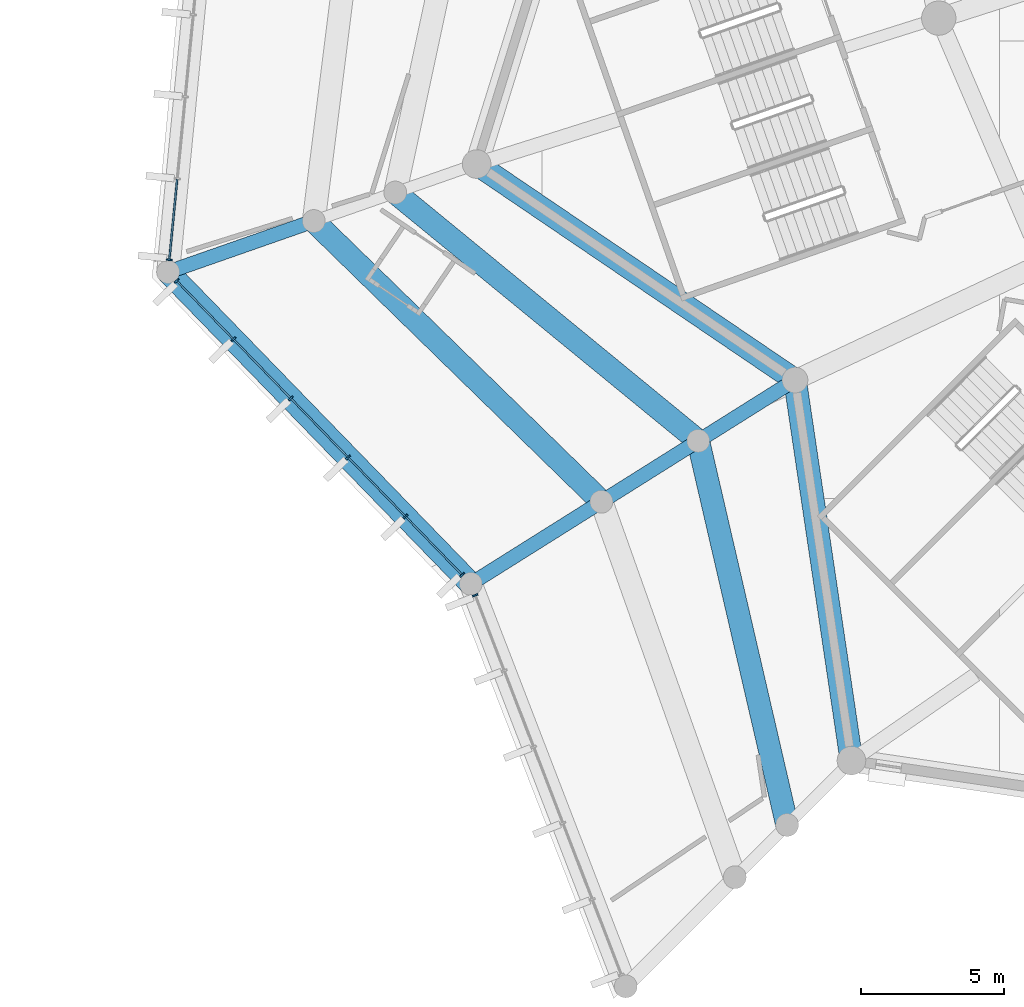
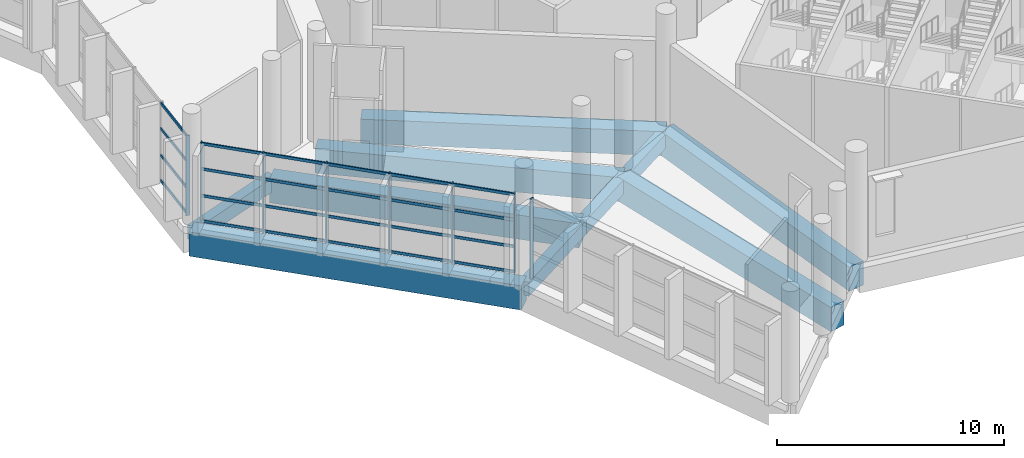
# One storey, part 8 of 249: 32 members, 10 beams, 3 elements without a shape of their own.
"""IFC4 building model written with IfcOpenShell, lengths in metres."""

from ifc_helpers import new_model, si_unit, direction, frame, origin, origin_2d, place, context, subcontext, project, spatial, rectangle, extrude, material, layer, layer_set, material_profile, profile_set, type_object, element, aggregate, save


model = new_model("IFC4")

# Units and contexts
model_context = context("Model", 3, precision=1e-05, world=origin(), true_north=direction((0.0, 1.0)))
body_context = subcontext(model_context, "Body", "Model", "MODEL_VIEW")
ifc_project = project(units=[si_unit("LENGTHUNIT", "METRE"), si_unit("AREAUNIT", "SQUARE_METRE"), si_unit("VOLUMEUNIT", "CUBIC_METRE"), si_unit("PLANEANGLEUNIT", "RADIAN"), si_unit("MASSUNIT", "GRAM", prefix="KILO")], contexts=[model_context])

# Site, building, storey
site_placement = place(None, origin())
site = spatial("IfcSite", under=ifc_project, at=site_placement, CompositionType="ELEMENT")
building_placement = place(site_placement, origin())
building = spatial("IfcBuilding", under=site, at=building_placement, Name="Meseta Stadium", CompositionType="ELEMENT")
storey_placement = place(building_placement, frame((0.0, 0.0, 12.0)))
storey = spatial("IfcBuildingStorey", under=building, at=storey_placement, Name="L02", CompositionType="ELEMENT", Elevation=12.0)

# Beams
ifc_material_1 = material(Name="Concrete C40/50", Category="concrete")
ifc_material_profile_1 = material_profile(ifc_material_1, rectangle(XDim=0.5, YDim=0.75, at=origin_2d()), Name="RC 500x750")
ifc_profile_set_1 = profile_set([ifc_material_profile_1], Name="Concrete C40/50")
beam_type_1 = type_object("IfcBeamType", Name="RC beam 500x750", PredefinedType="BEAM", material=ifc_profile_set_1)
beam_1_placement = place(storey_placement, frame((-103.989990234375, -70.29150390625, -0.72509765625), z_axis=(-0.943871747737, -0.330312161181, 0.0), x_axis=(0.330312161181, -0.943871747737, 0.0)))
element("IfcBeam", 1, at=beam_1_placement, inside=storey, type_object=beam_type_1, Name="L02 radial beam frame 38 line Q to O", PredefinedType="BEAM", context=body_context, shape_type="SweptSolid", body=[
    extrude(rectangle(XDim=0.5, YDim=0.75, at=origin_2d()), origin(), (0.0, 0.0, 1.0), 5.39990234375),
])
beam_2_placement = place(storey_placement, frame((-87.15087890625, -75.856689453125, -0.72509765625), z_axis=(-0.846706472046, -0.532060288122, 0.0), x_axis=(0.532060288122, -0.846706472046, 0.0)))
element("IfcBeam", 2, at=beam_2_placement, inside=storey, type_object=beam_type_1, Name="L02 radial beam frame 39 line R to M", PredefinedType="BEAM", context=body_context, shape_type="SweptSolid", body=[
    extrude(rectangle(XDim=0.5, YDim=0.75, at=origin_2d()), origin(), (0.0, 0.0, 1.0), 3.999755859375),
])
beam_3_placement = place(storey_placement, frame((-90.53759765625, -77.98486328125, -0.72509765625), z_axis=(-0.846723749582, -0.532032792122, 0.0), x_axis=(0.532032792122, -0.846723749582, 0.0)))
element("IfcBeam", 3, at=beam_3_placement, inside=storey, type_object=beam_type_1, Name="L02 radial beam frame 39 line M to Q", PredefinedType="BEAM", context=body_context, shape_type="SweptSolid", body=[
    extrude(rectangle(XDim=0.5, YDim=0.75, at=origin_2d()), origin(), (0.0, 0.0, 1.0), 4.0),
])
beam_4_placement = place(storey_placement, frame((-93.924560546875, -80.113037109375, -0.72509765625), z_axis=(-0.846715692546, -0.532045614582, 0.0), x_axis=(0.532045614582, -0.846715692546, 0.0)))
element("IfcBeam", 4, at=beam_4_placement, inside=storey, type_object=beam_type_1, Name="L02 radial beam frame 39 line Q to O", PredefinedType="BEAM", context=body_context, shape_type="SweptSolid", body=[
    extrude(rectangle(XDim=0.5, YDim=0.75, at=origin_2d()), origin(), (0.0, 0.0, 1.0), 5.39990234375),
])
ifc_material_2 = material(Name="Concrete C40/50", Category="concrete")
ifc_material_profile_2 = material_profile(ifc_material_2, rectangle(XDim=0.800048828125, YDim=1.300048828125, at=origin_2d()), Name="RC 800x1300")
ifc_profile_set_2 = profile_set([ifc_material_profile_2], Name="Concrete C40/50")
beam_type_2 = type_object("IfcBeamType", Name="RC beam 800x1300", PredefinedType="BEAM", material=ifc_profile_set_2)
beam_5_placement = place(storey_placement, frame((-98.291015625, -68.297607421875, -1.0), z_axis=(0.827486005705, -0.561486340317, 0.0), x_axis=(0.561486340317, 0.827486005705, 0.0)))
element("IfcBeam", 5, at=beam_5_placement, inside=storey, type_object=beam_type_2, Name="L02 ring beam frame 38 line R", PredefinedType="BEAM", context=body_context, shape_type="SweptSolid", body=[
    extrude(rectangle(XDim=0.800048828125, YDim=1.300048828125, at=origin_2d()), origin(), (0.0, 0.0, 1.0), 13.462646484375),
])
beam_6_placement = place(storey_placement, frame((-87.15087890625, -75.856689453125, -1.0), z_axis=(0.146870032835, -0.989155798373, 0.0), x_axis=(0.989155798373, 0.146870032835, 0.0)))
element("IfcBeam", 6, at=beam_6_placement, inside=storey, type_object=beam_type_2, Name="L02 ring beam frame 39 line R", PredefinedType="BEAM", context=body_context, shape_type="SweptSolid", body=[
    extrude(rectangle(XDim=0.800048828125, YDim=1.300048828125, at=origin_2d()), origin(), (0.0, 0.0, 1.0), 13.462890625),
])
beam_7_placement = place(storey_placement, frame((-101.140380859375, -69.29443359375, -1.0), z_axis=(0.77340555921, -0.633911540345, 0.0), x_axis=(0.633911540345, 0.77340555921, 0.0)))
element("IfcBeam", 7, at=beam_7_placement, inside=storey, type_object=beam_type_2, Name="L02 ring beam frame 38 line M", PredefinedType="BEAM", context=body_context, shape_type="SweptSolid", body=[
    extrude(rectangle(XDim=0.800048828125, YDim=1.300048828125, at=origin_2d()), origin(), (0.0, 0.0, 1.0), 13.709228515625),
])
beam_8_placement = place(storey_placement, frame((-103.989990234375, -70.29150390625, -1.0), z_axis=(0.715725013536, -0.698382205529, 0.0), x_axis=(0.698382205529, 0.715725013536, 0.0)))
element("IfcBeam", 8, at=beam_8_placement, inside=storey, type_object=beam_type_2, Name="L02 ring beam frame 38 line Q", PredefinedType="BEAM", context=body_context, shape_type="SweptSolid", body=[
    extrude(rectangle(XDim=0.800048828125, YDim=1.300048828125, at=origin_2d()), origin(), (0.0, 0.0, 1.0), 14.063232421875),
])
beam_9_placement = place(storey_placement, frame((-109.0869140625, -72.0751953125, -1.0), z_axis=(0.696479024719, -0.717577151341, 0.0), x_axis=(0.717577151341, 0.696479024719, 0.0)))
element("IfcBeam", 9, at=beam_9_placement, inside=storey, type_object=beam_type_2, Name="L02 ring beam frame 38 line O", PredefinedType="BEAM", context=body_context, shape_type="SweptSolid", body=[
    extrude(rectangle(XDim=0.800048828125, YDim=1.300048828125, at=origin_2d()), origin(), (0.0, 0.0, 1.0), 15.205078125),
])
beam_10_placement = place(storey_placement, frame((-90.53759765625, -77.98486328125, -1.0), z_axis=(0.225490125016, -0.974245453426, 0.0), x_axis=(0.974245453426, 0.225490125016, 0.0)))
element("IfcBeam", 10, at=beam_10_placement, inside=storey, type_object=beam_type_2, Name="L02 ring beam frame 39 line M", PredefinedType="BEAM", context=body_context, shape_type="SweptSolid", body=[
    extrude(rectangle(XDim=0.800048828125, YDim=1.300048828125, at=origin_2d()), origin(), (0.0, 0.0, 1.0), 13.796875),
])

# Curtain wall, member
ifc_material_3 = material(Name="Aluminium", Category="aluminium")
ifc_layer = layer(ifc_material_3, 0.199951171875)
ifc_layer_set = layer_set([ifc_layer], Name="Ring shopfront curtain wall")
curtain_wall_type = type_object("IfcCurtainWallType", Name="Ring shopfront curtain wall", PredefinedType="NOTDEFINED", material=ifc_layer_set)
curtain_wall_1_placement = place(storey_placement, origin())
curtain_wall_1 = element("IfcCurtainWall", 11, at=curtain_wall_1_placement, inside=storey, type_object=curtain_wall_type, Name="Ring glazing L02 F37", PredefinedType="NOTDEFINED")
ifc_material_4 = material(Name="Aluminium", Category="aluminium")
ifc_material_profile_3 = material_profile(ifc_material_4, rectangle(XDim=0.199951171875, YDim=0.06005859375, at=origin_2d()), Name="CW 200x60")
ifc_profile_set_3 = profile_set([ifc_material_profile_3], Name="Aluminium")
member_type_1 = type_object("IfcMemberType", Name="Ring CW mullion 60x200", PredefinedType="MULLION", material=ifc_profile_set_3)
member_1_placement = place(storey_placement, frame((-109.045166015625, -71.647216796875, 0.0), z_axis=(0.0, 0.0, 1.0), x_axis=(0.995272228282, -0.097124618973, 0.0)))
member_1 = element("IfcMember", 12, at=member_1_placement, type_object=member_type_1, Name="CWR1 mullion 6", PredefinedType="MULLION", context=body_context, shape_type="SweptSolid", body=[
    extrude(rectangle(XDim=0.199951171875, YDim=0.06005859375, at=origin_2d()), origin(), (0.0, 0.0, 1.0), 4.300048828125),
])

# Curtain wall, members
curtain_wall_2_placement = place(storey_placement, origin())
curtain_wall_2 = element("IfcCurtainWall", 13, at=curtain_wall_2_placement, inside=storey, type_object=curtain_wall_type, Name="Ring glazing L02 F38", PredefinedType="NOTDEFINED")
member_2_placement = place(storey_placement, frame((-108.787353515625, -72.383544921875, 0.0), z_axis=(0.0, 0.0, 1.0), x_axis=(0.717583242683, 0.6964727488, 0.0)))
member_2 = element("IfcMember", 14, at=member_2_placement, type_object=member_type_1, Name="CWR1 mullion 1", PredefinedType="MULLION", context=body_context, shape_type="SweptSolid", body=[
    extrude(rectangle(XDim=0.199951171875, YDim=0.06005859375, at=origin_2d()), origin(), (0.0, 0.0, 1.0), 4.300048828125),
])
member_3_placement = place(storey_placement, frame((-106.8017578125, -74.429443359375, 0.0), z_axis=(0.0, 0.0, 1.0), x_axis=(0.717583242683, 0.6964727488, 0.0)))
member_3 = element("IfcMember", 15, at=member_3_placement, type_object=member_type_1, Name="CWR1 mullion 2", PredefinedType="MULLION", context=body_context, shape_type="SweptSolid", body=[
    extrude(rectangle(XDim=0.199951171875, YDim=0.06005859375, at=origin_2d()), origin(), (0.0, 0.0, 1.0), 4.300048828125),
])
member_4_placement = place(storey_placement, frame((-104.795166015625, -76.496826171875, 0.0), z_axis=(0.0, 0.0, 1.0), x_axis=(0.717583242683, 0.6964727488, 0.0)))
member_4 = element("IfcMember", 16, at=member_4_placement, type_object=member_type_1, Name="CWR1 mullion 3", PredefinedType="MULLION", context=body_context, shape_type="SweptSolid", body=[
    extrude(rectangle(XDim=0.199951171875, YDim=0.06005859375, at=origin_2d()), origin(), (0.0, 0.0, 1.0), 4.300048828125),
])
member_5_placement = place(storey_placement, frame((-102.78857421875, -78.564208984375, 0.0), z_axis=(0.0, 0.0, 1.0), x_axis=(0.717583242683, 0.6964727488, 0.0)))
member_5 = element("IfcMember", 17, at=member_5_placement, type_object=member_type_1, Name="CWR1 mullion 4", PredefinedType="MULLION", context=body_context, shape_type="SweptSolid", body=[
    extrude(rectangle(XDim=0.199951171875, YDim=0.06005859375, at=origin_2d()), origin(), (0.0, 0.0, 1.0), 4.300048828125),
])
member_6_placement = place(storey_placement, frame((-100.781982421875, -80.631591796875, 0.0), z_axis=(0.0, 0.0, 1.0), x_axis=(0.717583242683, 0.6964727488, 0.0)))
member_6 = element("IfcMember", 18, at=member_6_placement, type_object=member_type_1, Name="CWR1 mullion 5", PredefinedType="MULLION", context=body_context, shape_type="SweptSolid", body=[
    extrude(rectangle(XDim=0.199951171875, YDim=0.06005859375, at=origin_2d()), origin(), (0.0, 0.0, 1.0), 4.300048828125),
])
member_7_placement = place(storey_placement, frame((-98.79638671875, -82.677490234375, 0.0), z_axis=(0.0, 0.0, 1.0), x_axis=(0.717583242683, 0.6964727488, 0.0)))
member_7 = element("IfcMember", 19, at=member_7_placement, type_object=member_type_1, Name="CWR1 mullion 6", PredefinedType="MULLION", context=body_context, shape_type="SweptSolid", body=[
    extrude(rectangle(XDim=0.199951171875, YDim=0.06005859375, at=origin_2d()), origin(), (0.0, 0.0, 1.0), 4.300048828125),
])

# Curtain wall, member
curtain_wall_3_placement = place(storey_placement, origin())
curtain_wall_3 = element("IfcCurtainWall", 20, at=curtain_wall_3_placement, inside=storey, type_object=curtain_wall_type, Name="Ring glazing L02 F39", PredefinedType="NOTDEFINED")
member_8_placement = place(storey_placement, frame((-98.342529296875, -83.38720703125, 0.0), z_axis=(0.0, 0.0, 1.0), x_axis=(0.933221328815, 0.359302033734, 0.0)))
member_8 = element("IfcMember", 21, at=member_8_placement, type_object=member_type_1, Name="CWR1 mullion 1", PredefinedType="MULLION", context=body_context, shape_type="SweptSolid", body=[
    extrude(rectangle(XDim=0.199951171875, YDim=0.06005859375, at=origin_2d()), origin(), (0.0, 0.0, 1.0), 4.300048828125),
])
aggregate(curtain_wall_3, [member_8])

# Member
ifc_material_5 = material(Name="Aluminium", Category="aluminium")
ifc_material_profile_4 = material_profile(ifc_material_5, rectangle(XDim=0.06005859375, YDim=0.14990234375, at=origin_2d()), Name="CW 60x150")
ifc_profile_set_4 = profile_set([ifc_material_profile_4], Name="Aluminium")
member_type_2 = type_object("IfcMemberType", Name="Ring CW transom 60x150", PredefinedType="USERDEFINED", material=ifc_profile_set_4)
member_9_placement = place(storey_placement, frame((-108.771240234375, -68.83935546875, 0.074951171875), z_axis=(-0.097095737509, -0.995275046285, 0.0), x_axis=(0.995275046285, -0.097095737509, 0.0)))
member_9 = element("IfcMember", 22, at=member_9_placement, type_object=member_type_2, Name="CWR1 transom 5.1", ObjectType="TRANSOM", PredefinedType="USERDEFINED", context=body_context, shape_type="SweptSolid", body=[
    extrude(rectangle(XDim=0.06005859375, YDim=0.14990234375, at=origin_2d()), origin(), (0.0, 0.0, 1.0), 2.791015625),
])

member_10_placement = place(storey_placement, frame((-108.771240234375, -68.83935546875, 1.433349609375), z_axis=(-0.097095737509, -0.995275046285, 0.0), x_axis=(0.995275046285, -0.097095737509, 0.0)))
member_10 = element("IfcMember", 23, at=member_10_placement, type_object=member_type_2, Name="CWR1 transom 5.2", ObjectType="TRANSOM", PredefinedType="USERDEFINED", context=body_context, shape_type="SweptSolid", body=[
    extrude(rectangle(XDim=0.06005859375, YDim=0.14990234375, at=origin_2d()), origin(), (0.0, 0.0, 1.0), 2.791015625),
])

member_11_placement = place(storey_placement, frame((-108.771240234375, -68.83935546875, 2.86669921875), z_axis=(-0.097095737509, -0.995275046285, 0.0), x_axis=(0.995275046285, -0.097095737509, 0.0)))
member_11 = element("IfcMember", 24, at=member_11_placement, type_object=member_type_2, Name="CWR1 transom 5.3", ObjectType="TRANSOM", PredefinedType="USERDEFINED", context=body_context, shape_type="SweptSolid", body=[
    extrude(rectangle(XDim=0.06005859375, YDim=0.14990234375, at=origin_2d()), origin(), (0.0, 0.0, 1.0), 2.791015625),
])

member_12_placement = place(storey_placement, frame((-108.771240234375, -68.83935546875, 4.22509765625), z_axis=(-0.097095737509, -0.995275046285, 0.0), x_axis=(0.995275046285, -0.097095737509, 0.0)))
member_12 = element("IfcMember", 25, at=member_12_placement, type_object=member_type_2, Name="CWR1 transom 5.4", ObjectType="TRANSOM", PredefinedType="USERDEFINED", context=body_context, shape_type="SweptSolid", body=[
    extrude(rectangle(XDim=0.06005859375, YDim=0.14990234375, at=origin_2d()), origin(), (0.0, 0.0, 1.0), 2.791015625),
])

aggregate(curtain_wall_1, [member_1, member_9, member_10, member_11, member_12])

member_13_placement = place(storey_placement, frame((-108.7666015625, -72.4052734375, 0.074951171875), z_axis=(0.696487300363, -0.717569118924, 0.0), x_axis=(0.717569118924, 0.696487300363, 0.0)))
member_13 = element("IfcMember", 26, at=member_13_placement, type_object=member_type_2, Name="CWR1 transom 1.1", ObjectType="TRANSOM", PredefinedType="USERDEFINED", context=body_context, shape_type="SweptSolid", body=[
    extrude(rectangle(XDim=0.06005859375, YDim=0.14990234375, at=origin_2d()), origin(), (0.0, 0.0, 1.0), 2.791015625),
])

member_14_placement = place(storey_placement, frame((-108.7666015625, -72.4052734375, 1.433349609375), z_axis=(0.696487300363, -0.717569118924, 0.0), x_axis=(0.717569118924, 0.696487300363, 0.0)))
member_14 = element("IfcMember", 27, at=member_14_placement, type_object=member_type_2, Name="CWR1 transom 1.2", ObjectType="TRANSOM", PredefinedType="USERDEFINED", context=body_context, shape_type="SweptSolid", body=[
    extrude(rectangle(XDim=0.06005859375, YDim=0.14990234375, at=origin_2d()), origin(), (0.0, 0.0, 1.0), 2.791015625),
])

member_15_placement = place(storey_placement, frame((-108.7666015625, -72.4052734375, 2.86669921875), z_axis=(0.696487300363, -0.717569118924, 0.0), x_axis=(0.717569118924, 0.696487300363, 0.0)))
member_15 = element("IfcMember", 28, at=member_15_placement, type_object=member_type_2, Name="CWR1 transom 1.3", ObjectType="TRANSOM", PredefinedType="USERDEFINED", context=body_context, shape_type="SweptSolid", body=[
    extrude(rectangle(XDim=0.06005859375, YDim=0.14990234375, at=origin_2d()), origin(), (0.0, 0.0, 1.0), 2.791015625),
])

member_16_placement = place(storey_placement, frame((-108.7666015625, -72.4052734375, 4.22509765625), z_axis=(0.696487300363, -0.717569118924, 0.0), x_axis=(0.717569118924, 0.696487300363, 0.0)))
member_16 = element("IfcMember", 29, at=member_16_placement, type_object=member_type_2, Name="CWR1 transom 1.4", ObjectType="TRANSOM", PredefinedType="USERDEFINED", context=body_context, shape_type="SweptSolid", body=[
    extrude(rectangle(XDim=0.06005859375, YDim=0.14990234375, at=origin_2d()), origin(), (0.0, 0.0, 1.0), 2.791015625),
])

member_17_placement = place(storey_placement, frame((-106.78076171875, -74.450927734375, 0.074951171875), z_axis=(0.696425568893, -0.717629031597, 0.0), x_axis=(0.717629031597, 0.696425568893, 0.0)))
member_17 = element("IfcMember", 30, at=member_17_placement, type_object=member_type_2, Name="CWR1 transom 2.1", ObjectType="TRANSOM", PredefinedType="USERDEFINED", context=body_context, shape_type="SweptSolid", body=[
    extrude(rectangle(XDim=0.06005859375, YDim=0.14990234375, at=origin_2d()), origin(), (0.0, 0.0, 1.0), 2.821044921875),
])

member_18_placement = place(storey_placement, frame((-106.78076171875, -74.450927734375, 1.433349609375), z_axis=(0.696425568893, -0.717629031597, 0.0), x_axis=(0.717629031597, 0.696425568893, 0.0)))
member_18 = element("IfcMember", 31, at=member_18_placement, type_object=member_type_2, Name="CWR1 transom 2.2", ObjectType="TRANSOM", PredefinedType="USERDEFINED", context=body_context, shape_type="SweptSolid", body=[
    extrude(rectangle(XDim=0.06005859375, YDim=0.14990234375, at=origin_2d()), origin(), (0.0, 0.0, 1.0), 2.821044921875),
])

member_19_placement = place(storey_placement, frame((-106.78076171875, -74.450927734375, 2.86669921875), z_axis=(0.696425568893, -0.717629031597, 0.0), x_axis=(0.717629031597, 0.696425568893, 0.0)))
member_19 = element("IfcMember", 32, at=member_19_placement, type_object=member_type_2, Name="CWR1 transom 2.3", ObjectType="TRANSOM", PredefinedType="USERDEFINED", context=body_context, shape_type="SweptSolid", body=[
    extrude(rectangle(XDim=0.06005859375, YDim=0.14990234375, at=origin_2d()), origin(), (0.0, 0.0, 1.0), 2.821044921875),
])

member_20_placement = place(storey_placement, frame((-106.78076171875, -74.450927734375, 4.22509765625), z_axis=(0.696425568893, -0.717629031597, 0.0), x_axis=(0.717629031597, 0.696425568893, 0.0)))
member_20 = element("IfcMember", 33, at=member_20_placement, type_object=member_type_2, Name="CWR1 transom 2.4", ObjectType="TRANSOM", PredefinedType="USERDEFINED", context=body_context, shape_type="SweptSolid", body=[
    extrude(rectangle(XDim=0.06005859375, YDim=0.14990234375, at=origin_2d()), origin(), (0.0, 0.0, 1.0), 2.821044921875),
])

member_21_placement = place(storey_placement, frame((-104.774169921875, -76.518310546875, 0.074951171875), z_axis=(0.696425568893, -0.717629031597, 0.0), x_axis=(0.717629031597, 0.696425568893, 0.0)))
member_21 = element("IfcMember", 34, at=member_21_placement, type_object=member_type_2, Name="CWR1 transom 3.1", ObjectType="TRANSOM", PredefinedType="USERDEFINED", context=body_context, shape_type="SweptSolid", body=[
    extrude(rectangle(XDim=0.06005859375, YDim=0.14990234375, at=origin_2d()), origin(), (0.0, 0.0, 1.0), 2.821044921875),
])

member_22_placement = place(storey_placement, frame((-104.774169921875, -76.518310546875, 1.433349609375), z_axis=(0.696425568893, -0.717629031597, 0.0), x_axis=(0.717629031597, 0.696425568893, 0.0)))
member_22 = element("IfcMember", 35, at=member_22_placement, type_object=member_type_2, Name="CWR1 transom 3.2", ObjectType="TRANSOM", PredefinedType="USERDEFINED", context=body_context, shape_type="SweptSolid", body=[
    extrude(rectangle(XDim=0.06005859375, YDim=0.14990234375, at=origin_2d()), origin(), (0.0, 0.0, 1.0), 2.821044921875),
])

member_23_placement = place(storey_placement, frame((-104.774169921875, -76.518310546875, 2.86669921875), z_axis=(0.696425568893, -0.717629031597, 0.0), x_axis=(0.717629031597, 0.696425568893, 0.0)))
member_23 = element("IfcMember", 36, at=member_23_placement, type_object=member_type_2, Name="CWR1 transom 3.3", ObjectType="TRANSOM", PredefinedType="USERDEFINED", context=body_context, shape_type="SweptSolid", body=[
    extrude(rectangle(XDim=0.06005859375, YDim=0.14990234375, at=origin_2d()), origin(), (0.0, 0.0, 1.0), 2.821044921875),
])

member_24_placement = place(storey_placement, frame((-104.774169921875, -76.518310546875, 4.22509765625), z_axis=(0.696425568893, -0.717629031597, 0.0), x_axis=(0.717629031597, 0.696425568893, 0.0)))
member_24 = element("IfcMember", 37, at=member_24_placement, type_object=member_type_2, Name="CWR1 transom 3.4", ObjectType="TRANSOM", PredefinedType="USERDEFINED", context=body_context, shape_type="SweptSolid", body=[
    extrude(rectangle(XDim=0.06005859375, YDim=0.14990234375, at=origin_2d()), origin(), (0.0, 0.0, 1.0), 2.821044921875),
])

member_25_placement = place(storey_placement, frame((-102.767822265625, -78.585693359375, 0.074951171875), z_axis=(0.696470134666, -0.717585779902, 0.0), x_axis=(0.717585779902, 0.696470134666, 0.0)))
member_25 = element("IfcMember", 38, at=member_25_placement, type_object=member_type_2, Name="CWR1 transom 4.1", ObjectType="TRANSOM", PredefinedType="USERDEFINED", context=body_context, shape_type="SweptSolid", body=[
    extrude(rectangle(XDim=0.06005859375, YDim=0.14990234375, at=origin_2d()), origin(), (0.0, 0.0, 1.0), 2.821044921875),
])

member_26_placement = place(storey_placement, frame((-102.767822265625, -78.585693359375, 1.433349609375), z_axis=(0.696470134666, -0.717585779902, 0.0), x_axis=(0.717585779902, 0.696470134666, 0.0)))
member_26 = element("IfcMember", 39, at=member_26_placement, type_object=member_type_2, Name="CWR1 transom 4.2", ObjectType="TRANSOM", PredefinedType="USERDEFINED", context=body_context, shape_type="SweptSolid", body=[
    extrude(rectangle(XDim=0.06005859375, YDim=0.14990234375, at=origin_2d()), origin(), (0.0, 0.0, 1.0), 2.821044921875),
])

member_27_placement = place(storey_placement, frame((-102.767822265625, -78.585693359375, 2.86669921875), z_axis=(0.696470134666, -0.717585779902, 0.0), x_axis=(0.717585779902, 0.696470134666, 0.0)))
member_27 = element("IfcMember", 40, at=member_27_placement, type_object=member_type_2, Name="CWR1 transom 4.3", ObjectType="TRANSOM", PredefinedType="USERDEFINED", context=body_context, shape_type="SweptSolid", body=[
    extrude(rectangle(XDim=0.06005859375, YDim=0.14990234375, at=origin_2d()), origin(), (0.0, 0.0, 1.0), 2.821044921875),
])

member_28_placement = place(storey_placement, frame((-102.767822265625, -78.585693359375, 4.22509765625), z_axis=(0.696470134666, -0.717585779902, 0.0), x_axis=(0.717585779902, 0.696470134666, 0.0)))
member_28 = element("IfcMember", 41, at=member_28_placement, type_object=member_type_2, Name="CWR1 transom 4.4", ObjectType="TRANSOM", PredefinedType="USERDEFINED", context=body_context, shape_type="SweptSolid", body=[
    extrude(rectangle(XDim=0.06005859375, YDim=0.14990234375, at=origin_2d()), origin(), (0.0, 0.0, 1.0), 2.821044921875),
])

member_29_placement = place(storey_placement, frame((-100.76123046875, -80.653076171875, 0.074951171875), z_axis=(0.696443583041, -0.717611549267, 0.0), x_axis=(0.717611549267, 0.696443583041, 0.0)))
member_29 = element("IfcMember", 42, at=member_29_placement, type_object=member_type_2, Name="CWR1 transom 5.1", ObjectType="TRANSOM", PredefinedType="USERDEFINED", context=body_context, shape_type="SweptSolid", body=[
    extrude(rectangle(XDim=0.06005859375, YDim=0.14990234375, at=origin_2d()), origin(), (0.0, 0.0, 1.0), 2.791015625),
])

member_30_placement = place(storey_placement, frame((-100.76123046875, -80.653076171875, 1.433349609375), z_axis=(0.696443583041, -0.717611549267, 0.0), x_axis=(0.717611549267, 0.696443583041, 0.0)))
member_30 = element("IfcMember", 43, at=member_30_placement, type_object=member_type_2, Name="CWR1 transom 5.2", ObjectType="TRANSOM", PredefinedType="USERDEFINED", context=body_context, shape_type="SweptSolid", body=[
    extrude(rectangle(XDim=0.06005859375, YDim=0.14990234375, at=origin_2d()), origin(), (0.0, 0.0, 1.0), 2.791015625),
])

member_31_placement = place(storey_placement, frame((-100.76123046875, -80.653076171875, 2.86669921875), z_axis=(0.696443583041, -0.717611549267, 0.0), x_axis=(0.717611549267, 0.696443583041, 0.0)))
member_31 = element("IfcMember", 44, at=member_31_placement, type_object=member_type_2, Name="CWR1 transom 5.3", ObjectType="TRANSOM", PredefinedType="USERDEFINED", context=body_context, shape_type="SweptSolid", body=[
    extrude(rectangle(XDim=0.06005859375, YDim=0.14990234375, at=origin_2d()), origin(), (0.0, 0.0, 1.0), 2.791015625),
])

member_32_placement = place(storey_placement, frame((-100.76123046875, -80.653076171875, 4.22509765625), z_axis=(0.696443583041, -0.717611549267, 0.0), x_axis=(0.717611549267, 0.696443583041, 0.0)))
member_32 = element("IfcMember", 45, at=member_32_placement, type_object=member_type_2, Name="CWR1 transom 5.4", ObjectType="TRANSOM", PredefinedType="USERDEFINED", context=body_context, shape_type="SweptSolid", body=[
    extrude(rectangle(XDim=0.06005859375, YDim=0.14990234375, at=origin_2d()), origin(), (0.0, 0.0, 1.0), 2.791015625),
])

aggregate(curtain_wall_2, [member_2, member_3, member_4, member_5, member_6, member_7, member_13, member_14, member_15, member_16, member_17, member_18, member_19, member_20, member_21, member_22, member_23, member_24, member_25, member_26, member_27, member_28, member_29, member_30, member_31, member_32])

save(model, "model.ifc")
